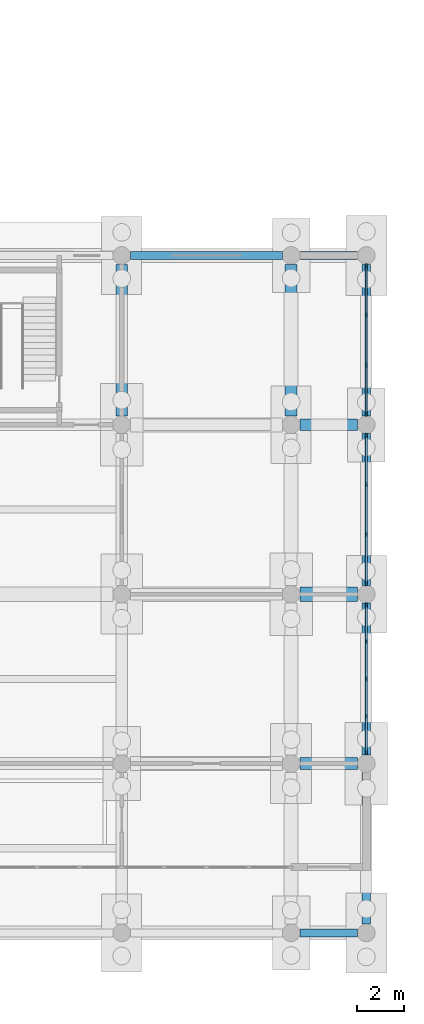
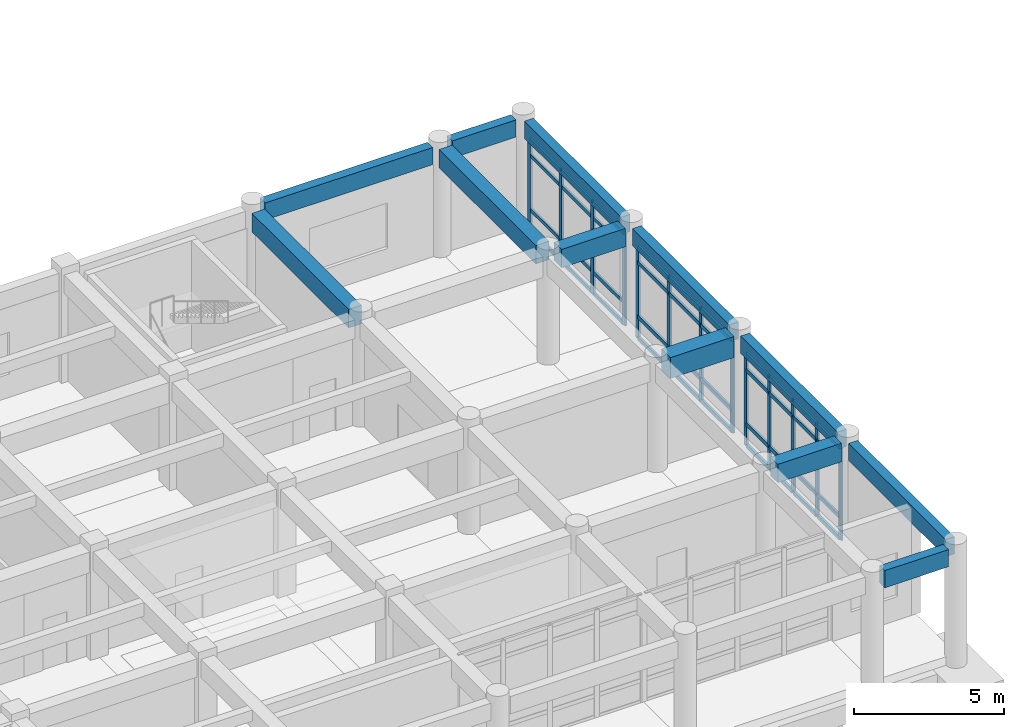
# One storey, part 36 of 79: 53 members, 12 beams, 3 elements without a shape of their own.
"""IFC4 building model written with IfcOpenShell, lengths in metres."""

from ifc_helpers import new_model, si_unit, direction, frame, origin, origin_2d, place, context, subcontext, project, spatial, rectangle, extrude, material, layer, layer_set, material_profile, profile_set, type_object, element, aggregate, save


model = new_model("IFC4")

# Units and contexts
model_context = context("Model", 3, precision=1e-05, world=origin(), true_north=direction((0.0, 1.0)))
body_context = subcontext(model_context, "Body", "Model", "MODEL_VIEW")
ifc_project = project(units=[si_unit("LENGTHUNIT", "METRE"), si_unit("AREAUNIT", "SQUARE_METRE"), si_unit("VOLUMEUNIT", "CUBIC_METRE"), si_unit("PLANEANGLEUNIT", "RADIAN"), si_unit("MASSUNIT", "GRAM", prefix="KILO")], contexts=[model_context])

# Site, building, storey
site_placement = place(None, origin())
site = spatial("IfcSite", under=ifc_project, at=site_placement, CompositionType="ELEMENT")
building_placement = place(site_placement, origin())
building = spatial("IfcBuilding", under=site, at=building_placement, Name="Kavelor Marine Aquarium", CompositionType="ELEMENT")
storey_placement = place(building_placement, origin())
storey = spatial("IfcBuildingStorey", under=building, at=storey_placement, Name="L00", CompositionType="ELEMENT", Elevation=0.0)

# Beams
ifc_material_1 = material(Name="Concrete C40/50", Category="concrete")
ifc_material_profile_1 = material_profile(ifc_material_1, rectangle(XDim=0.60009765625, YDim=0.85009765625, at=origin_2d()), Name="RC-BM 600x850")
ifc_profile_set_1 = profile_set([ifc_material_profile_1], Name="Concrete C40/50")
beam_type_1 = type_object("IfcBeamType", Name="BM-B1", PredefinedType="BEAM", material=ifc_profile_set_1)
beam_1_placement = place(storey_placement, frame((161.97509765625, 17.199951171875, 4.034912109375), z_axis=(1.0, 0.0, 0.0), x_axis=(0.0, 1.0, 0.0)))
element("IfcBeam", 1, at=beam_1_placement, inside=storey, type_object=beam_type_1, Name="bm:x:L00:L01:22_02", PredefinedType="BEAM", context=body_context, shape_type="SweptSolid", body=[
    extrude(rectangle(XDim=0.60009765625, YDim=0.85009765625, at=origin_2d()), origin(), (0.0, 0.0, 1.0), 2.449951171875),
])
ifc_material_2 = material(Name="Concrete C40/50", Category="concrete")
ifc_material_profile_2 = material_profile(ifc_material_2, rectangle(XDim=0.5, YDim=0.75, at=origin_2d()), Name="RC-BM 500x750")
ifc_profile_set_2 = profile_set([ifc_material_profile_2], Name="Concrete C40/50")
beam_type_2 = type_object("IfcBeamType", Name="BM-B2", PredefinedType="BEAM", material=ifc_profile_set_2)
for number, where, z_axis, x_axis, name in (
    (2, (161.97509765625, 10.0, 4.0849609375), (1.0, 0.0, 0.0), (0.0, 1.0, 0.0), "bm:x:L00:L01:22_01"),
    (3, (161.97509765625, 24.39990234375, 4.0849609375), (1.0, 0.0, 0.0), (0.0, 1.0, 0.0), "bm:x:L00:L01:22_03"),
):
    element("IfcBeam", number, at=place(storey_placement, frame(where, z_axis=z_axis, x_axis=x_axis)), inside=storey, type_object=beam_type_2, Name=name, PredefinedType="BEAM", context=body_context, shape_type="SweptSolid", body=[
        extrude(rectangle(XDim=0.5, YDim=0.75, at=origin_2d()), origin(), (0.0, 0.0, 1.0), 2.449951171875),
    ])
for number, where, z_axis, x_axis, name in (
    (4, (154.39990234375, 24.77490234375, 4.0048828125), (0.0, 1.0, 0.0), (-1.0, 0.0, 0.0), "bm:y:L00:L01:21_03"),
    (5, (161.60009765625, 24.77490234375, 4.0849609375), (0.0, 1.0, 0.0), (-1.0, 0.0, 0.0), "bm:y:L00:L01:22_03"),
):
    element("IfcBeam", number, at=place(storey_placement, frame(where, z_axis=z_axis, x_axis=x_axis)), inside=storey, type_object=beam_type_2, Name=name, PredefinedType="BEAM", context=body_context, shape_type="SweptSolid", body=[
        extrude(rectangle(XDim=0.5, YDim=0.75, at=origin_2d()), origin(), (0.0, 0.0, 1.0), 6.4501953125),
    ])
ifc_material_3 = material(Name="Concrete C40/50", Category="concrete")
ifc_material_profile_3 = material_profile(ifc_material_3, rectangle(XDim=0.35009765625, YDim=0.699951171875, at=origin_2d()), Name="RC-SP 350x700")
ifc_profile_set_3 = profile_set([ifc_material_profile_3], Name="Concrete C40/50")
beam_type_3 = type_object("IfcBeamType", Name="BM-SP1", PredefinedType="SPANDREL", material=ifc_profile_set_3)
beam_2_placement = place(storey_placement, frame((154.77490234375, 31.60009765625, 4.110107421875), z_axis=(1.0, 0.0, 0.0), x_axis=(0.0, 1.0, 0.0)))
element("IfcBeam", 6, at=beam_2_placement, inside=storey, type_object=beam_type_3, Name="bm:x:L00:L01:21_04", PredefinedType="SPANDREL", context=body_context, shape_type="SweptSolid", body=[
    extrude(rectangle(XDim=0.35009765625, YDim=0.699951171875, at=origin_2d()), origin(), (0.0, 0.0, 1.0), 6.4501953125),
])
for number, where, z_axis, x_axis, name in (
    (7, (161.97509765625, 2.800048828125, 4.110107421875), (1.0, 0.0, 0.0), (0.0, 1.0, 0.0), "bm:x:L00:L01:22_00"),
    (8, (161.97509765625, 31.60009765625, 4.110107421875), (1.0, 0.0, 0.0), (0.0, 1.0, 0.0), "bm:x:L00:L01:22_04"),
):
    element("IfcBeam", number, at=place(storey_placement, frame(where, z_axis=z_axis, x_axis=x_axis)), inside=storey, type_object=beam_type_3, Name=name, PredefinedType="SPANDREL", context=body_context, shape_type="SweptSolid", body=[
        extrude(rectangle(XDim=0.35009765625, YDim=0.699951171875, at=origin_2d()), origin(), (0.0, 0.0, 1.0), 2.449951171875),
    ])
for number, where, z_axis, x_axis, name in (
    (9, (164.800048828125, 3.175048828125, 4.110107421875), (0.0, 1.0, 0.0), (-1.0, 0.0, 0.0), "bm:y:L00:L01:23_00"),
    (10, (164.800048828125, 10.375, 4.110107421875), (0.0, 1.0, 0.0), (-1.0, 0.0, 0.0), "bm:y:L00:L01:23_01"),
    (11, (164.800048828125, 17.574951171875, 4.110107421875), (0.0, 1.0, 0.0), (-1.0, 0.0, 0.0), "bm:y:L00:L01:23_02"),
):
    element("IfcBeam", number, at=place(storey_placement, frame(where, z_axis=z_axis, x_axis=x_axis)), inside=storey, type_object=beam_type_3, Name=name, PredefinedType="SPANDREL", context=body_context, shape_type="SweptSolid", body=[
        extrude(rectangle(XDim=0.35009765625, YDim=0.699951171875, at=origin_2d()), origin(), (0.0, 0.0, 1.0), 6.449951171875),
    ])
beam_3_placement = place(storey_placement, frame((164.800048828125, 24.77490234375, 4.110107421875), z_axis=(0.0, 1.0, 0.0), x_axis=(-1.0, 0.0, 0.0)))
element("IfcBeam", 12, at=beam_3_placement, inside=storey, type_object=beam_type_3, Name="bm:y:L00:L01:23_03", PredefinedType="SPANDREL", context=body_context, shape_type="SweptSolid", body=[
    extrude(rectangle(XDim=0.35009765625, YDim=0.699951171875, at=origin_2d()), origin(), (0.0, 0.0, 1.0), 6.4501953125),
])

# Curtain wall, members
ifc_material_4 = material(Name="Thermally Broken Aluminium and Low-E Glass", Category="aluminium")
ifc_layer_1 = layer(ifc_material_4, 0.26806640625)
ifc_layer_set_1 = layer_set([ifc_layer_1], Name="CW-SYS16")
curtain_wall_type_1 = type_object("IfcCurtainWallType", Name="CW-SYS16", PredefinedType="USERDEFINED", material=ifc_layer_set_1)
curtain_wall_1_placement = place(storey_placement, origin())
curtain_wall_1 = element("IfcCurtainWall", 13, at=curtain_wall_1_placement, inside=storey, type_object=curtain_wall_type_1, Name="cw:y:L00:23_01", ObjectType="Curtain Wall", PredefinedType="USERDEFINED")
ifc_material_5 = material(Name="Anodised Aluminium Alloy 6063-T6", Category="aluminium")
ifc_material_profile_4 = material_profile(ifc_material_5, rectangle(XDim=0.074951171875, YDim=0.179931640625, at=origin_2d()), Name="CW-MUL 75x180")
ifc_profile_set_4 = profile_set([ifc_material_profile_4], Name="Anodised Aluminium Alloy 6063-T6")
member_type_1 = type_object("IfcMemberType", Name="CWM-1", PredefinedType="MULLION", material=ifc_profile_set_4)
member_1_placement = place(storey_placement, frame((164.800048828125, 10.45751953125, 0.0), z_axis=(0.0, 0.0, 1.0), x_axis=(-1.0, 0.0, 0.0)))
member_1 = element("IfcMember", 14, at=member_1_placement, type_object=member_type_1, Name="CW16 mullion 1", PredefinedType="MULLION", context=body_context, shape_type="SweptSolid", body=[
    extrude(rectangle(XDim=0.074951171875, YDim=0.179931640625, at=origin_2d()), origin(), (0.0, 0.0, 1.0), 3.75),
])
member_2_placement = place(storey_placement, frame((164.800048828125, 12.010009765625, 0.0), z_axis=(0.0, 0.0, 1.0), x_axis=(-1.0, 0.0, 0.0)))
member_2 = element("IfcMember", 15, at=member_2_placement, type_object=member_type_1, Name="CW16 mullion 2", PredefinedType="MULLION", context=body_context, shape_type="SweptSolid", body=[
    extrude(rectangle(XDim=0.074951171875, YDim=0.179931640625, at=origin_2d()), origin(), (0.0, 0.0, 1.0), 3.75),
])
member_3_placement = place(storey_placement, frame((164.800048828125, 13.60009765625, 0.0), z_axis=(0.0, 0.0, 1.0), x_axis=(-1.0, 0.0, 0.0)))
member_3 = element("IfcMember", 16, at=member_3_placement, type_object=member_type_1, Name="CW16 mullion 3", PredefinedType="MULLION", context=body_context, shape_type="SweptSolid", body=[
    extrude(rectangle(XDim=0.074951171875, YDim=0.179931640625, at=origin_2d()), origin(), (0.0, 0.0, 1.0), 3.75),
])
member_4_placement = place(storey_placement, frame((164.800048828125, 15.18994140625, 0.0), z_axis=(0.0, 0.0, 1.0), x_axis=(-1.0, 0.0, 0.0)))
member_4 = element("IfcMember", 17, at=member_4_placement, type_object=member_type_1, Name="CW16 mullion 4", PredefinedType="MULLION", context=body_context, shape_type="SweptSolid", body=[
    extrude(rectangle(XDim=0.074951171875, YDim=0.179931640625, at=origin_2d()), origin(), (0.0, 0.0, 1.0), 3.75),
])
member_5_placement = place(storey_placement, frame((164.800048828125, 16.742431640625, 0.0), z_axis=(0.0, 0.0, 1.0), x_axis=(-1.0, 0.0, 0.0)))
member_5 = element("IfcMember", 18, at=member_5_placement, type_object=member_type_1, Name="CW16 mullion 5", PredefinedType="MULLION", context=body_context, shape_type="SweptSolid", body=[
    extrude(rectangle(XDim=0.074951171875, YDim=0.179931640625, at=origin_2d()), origin(), (0.0, 0.0, 1.0), 3.75),
])

ifc_material_6 = material(Name="Thermally Broken Aluminium and Low-E Glass", Category="aluminium")
ifc_layer_2 = layer(ifc_material_6, 0.27587890625)
ifc_layer_set_2 = layer_set([ifc_layer_2], Name="CW-SYS17")
curtain_wall_type_2 = type_object("IfcCurtainWallType", Name="CW-SYS17", PredefinedType="USERDEFINED", material=ifc_layer_set_2)
curtain_wall_2_placement = place(storey_placement, origin())
curtain_wall_2 = element("IfcCurtainWall", 19, at=curtain_wall_2_placement, inside=storey, type_object=curtain_wall_type_2, Name="cw:y:L00:23_02", ObjectType="Curtain Wall", PredefinedType="USERDEFINED")
ifc_material_7 = material(Name="Anodised Aluminium Alloy 6063-T6", Category="aluminium")
ifc_material_profile_5 = material_profile(ifc_material_7, rectangle(XDim=0.080078125, YDim=0.18505859375, at=origin_2d()), Name="CW-MUL 80x185")
ifc_profile_set_5 = profile_set([ifc_material_profile_5], Name="Anodised Aluminium Alloy 6063-T6")
member_type_2 = type_object("IfcMemberType", Name="CWM-2", PredefinedType="MULLION", material=ifc_profile_set_5)
member_6_placement = place(storey_placement, frame((164.800048828125, 17.652587890625, 0.0), z_axis=(0.0, 0.0, 1.0), x_axis=(-1.0, 0.0, 0.0)))
member_6 = element("IfcMember", 20, at=member_6_placement, type_object=member_type_2, Name="CW17 mullion 1", PredefinedType="MULLION", context=body_context, shape_type="SweptSolid", body=[
    extrude(rectangle(XDim=0.080078125, YDim=0.18505859375, at=origin_2d()), origin(), (0.0, 0.0, 1.0), 3.75),
])
member_7_placement = place(storey_placement, frame((164.800048828125, 19.739990234375, 0.0), z_axis=(0.0, 0.0, 1.0), x_axis=(-1.0, 0.0, 0.0)))
member_7 = element("IfcMember", 21, at=member_7_placement, type_object=member_type_2, Name="CW17 mullion 2", PredefinedType="MULLION", context=body_context, shape_type="SweptSolid", body=[
    extrude(rectangle(XDim=0.080078125, YDim=0.18505859375, at=origin_2d()), origin(), (0.0, 0.0, 1.0), 3.75),
])
member_8_placement = place(storey_placement, frame((164.800048828125, 21.860107421875, 0.0), z_axis=(0.0, 0.0, 1.0), x_axis=(-1.0, 0.0, 0.0)))
member_8 = element("IfcMember", 22, at=member_8_placement, type_object=member_type_2, Name="CW17 mullion 3", PredefinedType="MULLION", context=body_context, shape_type="SweptSolid", body=[
    extrude(rectangle(XDim=0.080078125, YDim=0.18505859375, at=origin_2d()), origin(), (0.0, 0.0, 1.0), 3.75),
])
member_9_placement = place(storey_placement, frame((164.800048828125, 23.947509765625, 0.0), z_axis=(0.0, 0.0, 1.0), x_axis=(-1.0, 0.0, 0.0)))
member_9 = element("IfcMember", 23, at=member_9_placement, type_object=member_type_2, Name="CW17 mullion 4", PredefinedType="MULLION", context=body_context, shape_type="SweptSolid", body=[
    extrude(rectangle(XDim=0.080078125, YDim=0.18505859375, at=origin_2d()), origin(), (0.0, 0.0, 1.0), 3.75),
])

ifc_material_8 = material(Name="Thermally Broken Aluminium and Low-E Glass", Category="aluminium")
ifc_layer_3 = layer(ifc_material_8, 0.283935546875)
ifc_layer_set_3 = layer_set([ifc_layer_3], Name="CW-SYS18")
curtain_wall_type_3 = type_object("IfcCurtainWallType", Name="CW-SYS18", PredefinedType="USERDEFINED", material=ifc_layer_set_3)
curtain_wall_3_placement = place(storey_placement, origin())
curtain_wall_3 = element("IfcCurtainWall", 24, at=curtain_wall_3_placement, inside=storey, type_object=curtain_wall_type_3, Name="cw:y:L00:23_03", ObjectType="Curtain Wall", PredefinedType="USERDEFINED")
ifc_material_9 = material(Name="Anodised Aluminium Alloy 6063-T6", Category="aluminium")
ifc_material_profile_6 = material_profile(ifc_material_9, rectangle(XDim=0.0849609375, YDim=0.18994140625, at=origin_2d()), Name="CW-MUL 85x190")
ifc_profile_set_6 = profile_set([ifc_material_profile_6], Name="Anodised Aluminium Alloy 6063-T6")
member_type_3 = type_object("IfcMemberType", Name="CWM-3", PredefinedType="MULLION", material=ifc_profile_set_6)
member_10_placement = place(storey_placement, frame((164.800048828125, 24.85009765625, 0.0), z_axis=(0.0, 0.0, 1.0), x_axis=(-1.0, 0.0, 0.0)))
member_10 = element("IfcMember", 25, at=member_10_placement, type_object=member_type_3, Name="CW18 mullion 1", PredefinedType="MULLION", context=body_context, shape_type="SweptSolid", body=[
    extrude(rectangle(XDim=0.0849609375, YDim=0.18994140625, at=origin_2d()), origin(), (0.0, 0.0, 1.0), 3.75),
])
member_11_placement = place(storey_placement, frame((164.800048828125, 26.93994140625, 0.0), z_axis=(0.0, 0.0, 1.0), x_axis=(-1.0, 0.0, 0.0)))
member_11 = element("IfcMember", 26, at=member_11_placement, type_object=member_type_3, Name="CW18 mullion 2", PredefinedType="MULLION", context=body_context, shape_type="SweptSolid", body=[
    extrude(rectangle(XDim=0.0849609375, YDim=0.18994140625, at=origin_2d()), origin(), (0.0, 0.0, 1.0), 3.75),
])
member_12_placement = place(storey_placement, frame((164.800048828125, 29.06005859375, 0.0), z_axis=(0.0, 0.0, 1.0), x_axis=(-1.0, 0.0, 0.0)))
member_12 = element("IfcMember", 27, at=member_12_placement, type_object=member_type_3, Name="CW18 mullion 3", PredefinedType="MULLION", context=body_context, shape_type="SweptSolid", body=[
    extrude(rectangle(XDim=0.0849609375, YDim=0.18994140625, at=origin_2d()), origin(), (0.0, 0.0, 1.0), 3.75),
])
member_13_placement = place(storey_placement, frame((164.800048828125, 31.14990234375, 0.0), z_axis=(0.0, 0.0, 1.0), x_axis=(-1.0, 0.0, 0.0)))
member_13 = element("IfcMember", 28, at=member_13_placement, type_object=member_type_3, Name="CW18 mullion 4", PredefinedType="MULLION", context=body_context, shape_type="SweptSolid", body=[
    extrude(rectangle(XDim=0.0849609375, YDim=0.18994140625, at=origin_2d()), origin(), (0.0, 0.0, 1.0), 3.75),
])
ifc_material_10 = material(Name="Anodised Aluminium Alloy 6063-T6", Category="aluminium")
ifc_material_profile_7 = material_profile(ifc_material_10, rectangle(XDim=0.074951171875, YDim=0.14990234375, at=origin_2d()), Name="CW-TRN 75x150")
ifc_profile_set_7 = profile_set([ifc_material_profile_7], Name="Anodised Aluminium Alloy 6063-T6")
member_type_4 = type_object("IfcMemberType", Name="CWT-1", PredefinedType="USERDEFINED", material=ifc_profile_set_7)
member_14_placement = place(storey_placement, frame((164.800048828125, 24.8798828125, 0.03759765625), z_axis=(0.0, 1.0, 0.0), x_axis=(-1.0, 0.0, 0.0)))
member_14 = element("IfcMember", 29, at=member_14_placement, type_object=member_type_4, Name="CW18 transom 1.1", ObjectType="TRANSOM", PredefinedType="USERDEFINED", context=body_context, shape_type="SweptSolid", body=[
    extrude(rectangle(XDim=0.074951171875, YDim=0.14990234375, at=origin_2d()), origin(), (0.0, 0.0, 1.0), 2.030029296875),
])
member_15_placement = place(storey_placement, frame((164.800048828125, 24.8798828125, 0.89990234375), z_axis=(0.0, 1.0, 0.0), x_axis=(-1.0, 0.0, 0.0)))
member_15 = element("IfcMember", 30, at=member_15_placement, type_object=member_type_4, Name="CW18 transom 1.2", ObjectType="TRANSOM", PredefinedType="USERDEFINED", context=body_context, shape_type="SweptSolid", body=[
    extrude(rectangle(XDim=0.074951171875, YDim=0.14990234375, at=origin_2d()), origin(), (0.0, 0.0, 1.0), 2.030029296875),
])
member_16_placement = place(storey_placement, frame((164.800048828125, 24.8798828125, 3.10009765625), z_axis=(0.0, 1.0, 0.0), x_axis=(-1.0, 0.0, 0.0)))
member_16 = element("IfcMember", 31, at=member_16_placement, type_object=member_type_4, Name="CW18 transom 1.3", ObjectType="TRANSOM", PredefinedType="USERDEFINED", context=body_context, shape_type="SweptSolid", body=[
    extrude(rectangle(XDim=0.074951171875, YDim=0.14990234375, at=origin_2d()), origin(), (0.0, 0.0, 1.0), 2.030029296875),
])
member_17_placement = place(storey_placement, frame((164.800048828125, 24.8798828125, 3.71240234375), z_axis=(0.0, 1.0, 0.0), x_axis=(-1.0, 0.0, 0.0)))
member_17 = element("IfcMember", 32, at=member_17_placement, type_object=member_type_4, Name="CW18 transom 1.4", ObjectType="TRANSOM", PredefinedType="USERDEFINED", context=body_context, shape_type="SweptSolid", body=[
    extrude(rectangle(XDim=0.074951171875, YDim=0.14990234375, at=origin_2d()), origin(), (0.0, 0.0, 1.0), 2.030029296875),
])
member_18_placement = place(storey_placement, frame((164.800048828125, 26.969970703125, 0.03759765625), z_axis=(0.0, 1.0, 0.0), x_axis=(-1.0, 0.0, 0.0)))
member_18 = element("IfcMember", 33, at=member_18_placement, type_object=member_type_4, Name="CW18 transom 2.1", ObjectType="TRANSOM", PredefinedType="USERDEFINED", context=body_context, shape_type="SweptSolid", body=[
    extrude(rectangle(XDim=0.074951171875, YDim=0.14990234375, at=origin_2d()), origin(), (0.0, 0.0, 1.0), 2.06005859375),
])
member_19_placement = place(storey_placement, frame((164.800048828125, 26.969970703125, 0.89990234375), z_axis=(0.0, 1.0, 0.0), x_axis=(-1.0, 0.0, 0.0)))
member_19 = element("IfcMember", 34, at=member_19_placement, type_object=member_type_4, Name="CW18 transom 2.2", ObjectType="TRANSOM", PredefinedType="USERDEFINED", context=body_context, shape_type="SweptSolid", body=[
    extrude(rectangle(XDim=0.074951171875, YDim=0.14990234375, at=origin_2d()), origin(), (0.0, 0.0, 1.0), 2.06005859375),
])
member_20_placement = place(storey_placement, frame((164.800048828125, 26.969970703125, 3.10009765625), z_axis=(0.0, 1.0, 0.0), x_axis=(-1.0, 0.0, 0.0)))
member_20 = element("IfcMember", 35, at=member_20_placement, type_object=member_type_4, Name="CW18 transom 2.3", ObjectType="TRANSOM", PredefinedType="USERDEFINED", context=body_context, shape_type="SweptSolid", body=[
    extrude(rectangle(XDim=0.074951171875, YDim=0.14990234375, at=origin_2d()), origin(), (0.0, 0.0, 1.0), 2.06005859375),
])
member_21_placement = place(storey_placement, frame((164.800048828125, 26.969970703125, 3.71240234375), z_axis=(0.0, 1.0, 0.0), x_axis=(-1.0, 0.0, 0.0)))
member_21 = element("IfcMember", 36, at=member_21_placement, type_object=member_type_4, Name="CW18 transom 2.4", ObjectType="TRANSOM", PredefinedType="USERDEFINED", context=body_context, shape_type="SweptSolid", body=[
    extrude(rectangle(XDim=0.074951171875, YDim=0.14990234375, at=origin_2d()), origin(), (0.0, 0.0, 1.0), 2.06005859375),
])
member_22_placement = place(storey_placement, frame((164.800048828125, 29.090087890625, 0.03759765625), z_axis=(0.0, 1.0, 0.0), x_axis=(-1.0, 0.0, 0.0)))
member_22 = element("IfcMember", 37, at=member_22_placement, type_object=member_type_4, Name="CW18 transom 3.1", ObjectType="TRANSOM", PredefinedType="USERDEFINED", context=body_context, shape_type="SweptSolid", body=[
    extrude(rectangle(XDim=0.074951171875, YDim=0.14990234375, at=origin_2d()), origin(), (0.0, 0.0, 1.0), 2.030029296875),
])
member_23_placement = place(storey_placement, frame((164.800048828125, 29.090087890625, 0.89990234375), z_axis=(0.0, 1.0, 0.0), x_axis=(-1.0, 0.0, 0.0)))
member_23 = element("IfcMember", 38, at=member_23_placement, type_object=member_type_4, Name="CW18 transom 3.2", ObjectType="TRANSOM", PredefinedType="USERDEFINED", context=body_context, shape_type="SweptSolid", body=[
    extrude(rectangle(XDim=0.074951171875, YDim=0.14990234375, at=origin_2d()), origin(), (0.0, 0.0, 1.0), 2.030029296875),
])
member_24_placement = place(storey_placement, frame((164.800048828125, 29.090087890625, 3.10009765625), z_axis=(0.0, 1.0, 0.0), x_axis=(-1.0, 0.0, 0.0)))
member_24 = element("IfcMember", 39, at=member_24_placement, type_object=member_type_4, Name="CW18 transom 3.3", ObjectType="TRANSOM", PredefinedType="USERDEFINED", context=body_context, shape_type="SweptSolid", body=[
    extrude(rectangle(XDim=0.074951171875, YDim=0.14990234375, at=origin_2d()), origin(), (0.0, 0.0, 1.0), 2.030029296875),
])
member_25_placement = place(storey_placement, frame((164.800048828125, 29.090087890625, 3.71240234375), z_axis=(0.0, 1.0, 0.0), x_axis=(-1.0, 0.0, 0.0)))
member_25 = element("IfcMember", 40, at=member_25_placement, type_object=member_type_4, Name="CW18 transom 3.4", ObjectType="TRANSOM", PredefinedType="USERDEFINED", context=body_context, shape_type="SweptSolid", body=[
    extrude(rectangle(XDim=0.074951171875, YDim=0.14990234375, at=origin_2d()), origin(), (0.0, 0.0, 1.0), 2.030029296875),
])
aggregate(curtain_wall_3, [member_10, member_11, member_12, member_13, member_14, member_15, member_16, member_17, member_18, member_19, member_20, member_21, member_22, member_23, member_24, member_25])

# Member
ifc_material_11 = material(Name="Anodised Aluminium Alloy 6063-T6", Category="aluminium")
ifc_material_profile_8 = material_profile(ifc_material_11, rectangle(XDim=0.0849609375, YDim=0.159912109375, at=origin_2d()), Name="CW-TRN 85x160")
ifc_profile_set_8 = profile_set([ifc_material_profile_8], Name="Anodised Aluminium Alloy 6063-T6")
member_type_5 = type_object("IfcMemberType", Name="CWT-3", PredefinedType="USERDEFINED", material=ifc_profile_set_8)
member_26_placement = place(storey_placement, frame((164.800048828125, 10.4951171875, 0.030029296875), z_axis=(0.0, 1.0, 0.0), x_axis=(-1.0, 0.0, 0.0)))
member_26 = element("IfcMember", 41, at=member_26_placement, type_object=member_type_5, Name="CW16 transom 1.1", ObjectType="TRANSOM", PredefinedType="USERDEFINED", context=body_context, shape_type="SweptSolid", body=[
    extrude(rectangle(XDim=0.0849609375, YDim=0.159912109375, at=origin_2d()), origin(), (0.0, 0.0, 1.0), 1.477294921875),
])

member_27_placement = place(storey_placement, frame((164.800048828125, 10.4951171875, 0.89990234375), z_axis=(0.0, 1.0, 0.0), x_axis=(-1.0, 0.0, 0.0)))
member_27 = element("IfcMember", 42, at=member_27_placement, type_object=member_type_5, Name="CW16 transom 1.2", ObjectType="TRANSOM", PredefinedType="USERDEFINED", context=body_context, shape_type="SweptSolid", body=[
    extrude(rectangle(XDim=0.0849609375, YDim=0.159912109375, at=origin_2d()), origin(), (0.0, 0.0, 1.0), 1.477294921875),
])

member_28_placement = place(storey_placement, frame((164.800048828125, 10.4951171875, 3.10009765625), z_axis=(0.0, 1.0, 0.0), x_axis=(-1.0, 0.0, 0.0)))
member_28 = element("IfcMember", 43, at=member_28_placement, type_object=member_type_5, Name="CW16 transom 1.3", ObjectType="TRANSOM", PredefinedType="USERDEFINED", context=body_context, shape_type="SweptSolid", body=[
    extrude(rectangle(XDim=0.0849609375, YDim=0.159912109375, at=origin_2d()), origin(), (0.0, 0.0, 1.0), 1.477294921875),
])

member_29_placement = place(storey_placement, frame((164.800048828125, 10.4951171875, 3.719970703125), z_axis=(0.0, 1.0, 0.0), x_axis=(-1.0, 0.0, 0.0)))
member_29 = element("IfcMember", 44, at=member_29_placement, type_object=member_type_5, Name="CW16 transom 1.4", ObjectType="TRANSOM", PredefinedType="USERDEFINED", context=body_context, shape_type="SweptSolid", body=[
    extrude(rectangle(XDim=0.0849609375, YDim=0.159912109375, at=origin_2d()), origin(), (0.0, 0.0, 1.0), 1.477294921875),
])

member_30_placement = place(storey_placement, frame((164.800048828125, 12.047607421875, 0.030029296875), z_axis=(0.0, 1.0, 0.0), x_axis=(-1.0, 0.0, 0.0)))
member_30 = element("IfcMember", 45, at=member_30_placement, type_object=member_type_5, Name="CW16 transom 2.1", ObjectType="TRANSOM", PredefinedType="USERDEFINED", context=body_context, shape_type="SweptSolid", body=[
    extrude(rectangle(XDim=0.0849609375, YDim=0.159912109375, at=origin_2d()), origin(), (0.0, 0.0, 1.0), 1.514892578125),
])

member_31_placement = place(storey_placement, frame((164.800048828125, 12.047607421875, 0.89990234375), z_axis=(0.0, 1.0, 0.0), x_axis=(-1.0, 0.0, 0.0)))
member_31 = element("IfcMember", 46, at=member_31_placement, type_object=member_type_5, Name="CW16 transom 2.2", ObjectType="TRANSOM", PredefinedType="USERDEFINED", context=body_context, shape_type="SweptSolid", body=[
    extrude(rectangle(XDim=0.0849609375, YDim=0.159912109375, at=origin_2d()), origin(), (0.0, 0.0, 1.0), 1.514892578125),
])

member_32_placement = place(storey_placement, frame((164.800048828125, 12.047607421875, 3.10009765625), z_axis=(0.0, 1.0, 0.0), x_axis=(-1.0, 0.0, 0.0)))
member_32 = element("IfcMember", 47, at=member_32_placement, type_object=member_type_5, Name="CW16 transom 2.3", ObjectType="TRANSOM", PredefinedType="USERDEFINED", context=body_context, shape_type="SweptSolid", body=[
    extrude(rectangle(XDim=0.0849609375, YDim=0.159912109375, at=origin_2d()), origin(), (0.0, 0.0, 1.0), 1.514892578125),
])

member_33_placement = place(storey_placement, frame((164.800048828125, 12.047607421875, 3.719970703125), z_axis=(0.0, 1.0, 0.0), x_axis=(-1.0, 0.0, 0.0)))
member_33 = element("IfcMember", 48, at=member_33_placement, type_object=member_type_5, Name="CW16 transom 2.4", ObjectType="TRANSOM", PredefinedType="USERDEFINED", context=body_context, shape_type="SweptSolid", body=[
    extrude(rectangle(XDim=0.0849609375, YDim=0.159912109375, at=origin_2d()), origin(), (0.0, 0.0, 1.0), 1.514892578125),
])

member_34_placement = place(storey_placement, frame((164.800048828125, 13.637451171875, 0.030029296875), z_axis=(0.0, 1.0, 0.0), x_axis=(-1.0, 0.0, 0.0)))
member_34 = element("IfcMember", 49, at=member_34_placement, type_object=member_type_5, Name="CW16 transom 3.1", ObjectType="TRANSOM", PredefinedType="USERDEFINED", context=body_context, shape_type="SweptSolid", body=[
    extrude(rectangle(XDim=0.0849609375, YDim=0.159912109375, at=origin_2d()), origin(), (0.0, 0.0, 1.0), 1.51513671875),
])

member_35_placement = place(storey_placement, frame((164.800048828125, 13.637451171875, 0.89990234375), z_axis=(0.0, 1.0, 0.0), x_axis=(-1.0, 0.0, 0.0)))
member_35 = element("IfcMember", 50, at=member_35_placement, type_object=member_type_5, Name="CW16 transom 3.2", ObjectType="TRANSOM", PredefinedType="USERDEFINED", context=body_context, shape_type="SweptSolid", body=[
    extrude(rectangle(XDim=0.0849609375, YDim=0.159912109375, at=origin_2d()), origin(), (0.0, 0.0, 1.0), 1.51513671875),
])

member_36_placement = place(storey_placement, frame((164.800048828125, 13.637451171875, 3.10009765625), z_axis=(0.0, 1.0, 0.0), x_axis=(-1.0, 0.0, 0.0)))
member_36 = element("IfcMember", 51, at=member_36_placement, type_object=member_type_5, Name="CW16 transom 3.3", ObjectType="TRANSOM", PredefinedType="USERDEFINED", context=body_context, shape_type="SweptSolid", body=[
    extrude(rectangle(XDim=0.0849609375, YDim=0.159912109375, at=origin_2d()), origin(), (0.0, 0.0, 1.0), 1.51513671875),
])

member_37_placement = place(storey_placement, frame((164.800048828125, 13.637451171875, 3.719970703125), z_axis=(0.0, 1.0, 0.0), x_axis=(-1.0, 0.0, 0.0)))
member_37 = element("IfcMember", 52, at=member_37_placement, type_object=member_type_5, Name="CW16 transom 3.4", ObjectType="TRANSOM", PredefinedType="USERDEFINED", context=body_context, shape_type="SweptSolid", body=[
    extrude(rectangle(XDim=0.0849609375, YDim=0.159912109375, at=origin_2d()), origin(), (0.0, 0.0, 1.0), 1.51513671875),
])

member_38_placement = place(storey_placement, frame((164.800048828125, 15.2275390625, 0.030029296875), z_axis=(0.0, 1.0, 0.0), x_axis=(-1.0, 0.0, 0.0)))
member_38 = element("IfcMember", 53, at=member_38_placement, type_object=member_type_5, Name="CW16 transom 4.1", ObjectType="TRANSOM", PredefinedType="USERDEFINED", context=body_context, shape_type="SweptSolid", body=[
    extrude(rectangle(XDim=0.0849609375, YDim=0.159912109375, at=origin_2d()), origin(), (0.0, 0.0, 1.0), 1.4775390625),
])

member_39_placement = place(storey_placement, frame((164.800048828125, 15.2275390625, 0.89990234375), z_axis=(0.0, 1.0, 0.0), x_axis=(-1.0, 0.0, 0.0)))
member_39 = element("IfcMember", 54, at=member_39_placement, type_object=member_type_5, Name="CW16 transom 4.2", ObjectType="TRANSOM", PredefinedType="USERDEFINED", context=body_context, shape_type="SweptSolid", body=[
    extrude(rectangle(XDim=0.0849609375, YDim=0.159912109375, at=origin_2d()), origin(), (0.0, 0.0, 1.0), 1.4775390625),
])

member_40_placement = place(storey_placement, frame((164.800048828125, 15.2275390625, 3.10009765625), z_axis=(0.0, 1.0, 0.0), x_axis=(-1.0, 0.0, 0.0)))
member_40 = element("IfcMember", 55, at=member_40_placement, type_object=member_type_5, Name="CW16 transom 4.3", ObjectType="TRANSOM", PredefinedType="USERDEFINED", context=body_context, shape_type="SweptSolid", body=[
    extrude(rectangle(XDim=0.0849609375, YDim=0.159912109375, at=origin_2d()), origin(), (0.0, 0.0, 1.0), 1.4775390625),
])

member_41_placement = place(storey_placement, frame((164.800048828125, 15.2275390625, 3.719970703125), z_axis=(0.0, 1.0, 0.0), x_axis=(-1.0, 0.0, 0.0)))
member_41 = element("IfcMember", 56, at=member_41_placement, type_object=member_type_5, Name="CW16 transom 4.4", ObjectType="TRANSOM", PredefinedType="USERDEFINED", context=body_context, shape_type="SweptSolid", body=[
    extrude(rectangle(XDim=0.0849609375, YDim=0.159912109375, at=origin_2d()), origin(), (0.0, 0.0, 1.0), 1.4775390625),
])

aggregate(curtain_wall_1, [member_1, member_2, member_3, member_4, member_5, member_26, member_27, member_28, member_29, member_30, member_31, member_32, member_33, member_34, member_35, member_36, member_37, member_38, member_39, member_40, member_41])

member_42_placement = place(storey_placement, frame((164.800048828125, 17.68505859375, 0.030029296875), z_axis=(0.0, 1.0, 0.0), x_axis=(-1.0, 0.0, 0.0)))
member_42 = element("IfcMember", 57, at=member_42_placement, type_object=member_type_5, Name="CW17 transom 1.1", ObjectType="TRANSOM", PredefinedType="USERDEFINED", context=body_context, shape_type="SweptSolid", body=[
    extrude(rectangle(XDim=0.0849609375, YDim=0.159912109375, at=origin_2d()), origin(), (0.0, 0.0, 1.0), 2.0224609375),
])

member_43_placement = place(storey_placement, frame((164.800048828125, 17.68505859375, 0.89990234375), z_axis=(0.0, 1.0, 0.0), x_axis=(-1.0, 0.0, 0.0)))
member_43 = element("IfcMember", 58, at=member_43_placement, type_object=member_type_5, Name="CW17 transom 1.2", ObjectType="TRANSOM", PredefinedType="USERDEFINED", context=body_context, shape_type="SweptSolid", body=[
    extrude(rectangle(XDim=0.0849609375, YDim=0.159912109375, at=origin_2d()), origin(), (0.0, 0.0, 1.0), 2.0224609375),
])

member_44_placement = place(storey_placement, frame((164.800048828125, 17.68505859375, 3.10009765625), z_axis=(0.0, 1.0, 0.0), x_axis=(-1.0, 0.0, 0.0)))
member_44 = element("IfcMember", 59, at=member_44_placement, type_object=member_type_5, Name="CW17 transom 1.3", ObjectType="TRANSOM", PredefinedType="USERDEFINED", context=body_context, shape_type="SweptSolid", body=[
    extrude(rectangle(XDim=0.0849609375, YDim=0.159912109375, at=origin_2d()), origin(), (0.0, 0.0, 1.0), 2.0224609375),
])

member_45_placement = place(storey_placement, frame((164.800048828125, 17.68505859375, 3.719970703125), z_axis=(0.0, 1.0, 0.0), x_axis=(-1.0, 0.0, 0.0)))
member_45 = element("IfcMember", 60, at=member_45_placement, type_object=member_type_5, Name="CW17 transom 1.4", ObjectType="TRANSOM", PredefinedType="USERDEFINED", context=body_context, shape_type="SweptSolid", body=[
    extrude(rectangle(XDim=0.0849609375, YDim=0.159912109375, at=origin_2d()), origin(), (0.0, 0.0, 1.0), 2.0224609375),
])

member_46_placement = place(storey_placement, frame((164.800048828125, 19.7724609375, 0.030029296875), z_axis=(0.0, 1.0, 0.0), x_axis=(-1.0, 0.0, 0.0)))
member_46 = element("IfcMember", 61, at=member_46_placement, type_object=member_type_5, Name="CW17 transom 2.1", ObjectType="TRANSOM", PredefinedType="USERDEFINED", context=body_context, shape_type="SweptSolid", body=[
    extrude(rectangle(XDim=0.0849609375, YDim=0.159912109375, at=origin_2d()), origin(), (0.0, 0.0, 1.0), 2.054931640625),
])

member_47_placement = place(storey_placement, frame((164.800048828125, 19.7724609375, 0.89990234375), z_axis=(0.0, 1.0, 0.0), x_axis=(-1.0, 0.0, 0.0)))
member_47 = element("IfcMember", 62, at=member_47_placement, type_object=member_type_5, Name="CW17 transom 2.2", ObjectType="TRANSOM", PredefinedType="USERDEFINED", context=body_context, shape_type="SweptSolid", body=[
    extrude(rectangle(XDim=0.0849609375, YDim=0.159912109375, at=origin_2d()), origin(), (0.0, 0.0, 1.0), 2.054931640625),
])

member_48_placement = place(storey_placement, frame((164.800048828125, 19.7724609375, 3.10009765625), z_axis=(0.0, 1.0, 0.0), x_axis=(-1.0, 0.0, 0.0)))
member_48 = element("IfcMember", 63, at=member_48_placement, type_object=member_type_5, Name="CW17 transom 2.3", ObjectType="TRANSOM", PredefinedType="USERDEFINED", context=body_context, shape_type="SweptSolid", body=[
    extrude(rectangle(XDim=0.0849609375, YDim=0.159912109375, at=origin_2d()), origin(), (0.0, 0.0, 1.0), 2.054931640625),
])

member_49_placement = place(storey_placement, frame((164.800048828125, 19.7724609375, 3.719970703125), z_axis=(0.0, 1.0, 0.0), x_axis=(-1.0, 0.0, 0.0)))
member_49 = element("IfcMember", 64, at=member_49_placement, type_object=member_type_5, Name="CW17 transom 2.4", ObjectType="TRANSOM", PredefinedType="USERDEFINED", context=body_context, shape_type="SweptSolid", body=[
    extrude(rectangle(XDim=0.0849609375, YDim=0.159912109375, at=origin_2d()), origin(), (0.0, 0.0, 1.0), 2.054931640625),
])

member_50_placement = place(storey_placement, frame((164.800048828125, 21.892578125, 0.030029296875), z_axis=(0.0, 1.0, 0.0), x_axis=(-1.0, 0.0, 0.0)))
member_50 = element("IfcMember", 65, at=member_50_placement, type_object=member_type_5, Name="CW17 transom 3.1", ObjectType="TRANSOM", PredefinedType="USERDEFINED", context=body_context, shape_type="SweptSolid", body=[
    extrude(rectangle(XDim=0.0849609375, YDim=0.159912109375, at=origin_2d()), origin(), (0.0, 0.0, 1.0), 2.0224609375),
])

member_51_placement = place(storey_placement, frame((164.800048828125, 21.892578125, 0.89990234375), z_axis=(0.0, 1.0, 0.0), x_axis=(-1.0, 0.0, 0.0)))
member_51 = element("IfcMember", 66, at=member_51_placement, type_object=member_type_5, Name="CW17 transom 3.2", ObjectType="TRANSOM", PredefinedType="USERDEFINED", context=body_context, shape_type="SweptSolid", body=[
    extrude(rectangle(XDim=0.0849609375, YDim=0.159912109375, at=origin_2d()), origin(), (0.0, 0.0, 1.0), 2.0224609375),
])

member_52_placement = place(storey_placement, frame((164.800048828125, 21.892578125, 3.10009765625), z_axis=(0.0, 1.0, 0.0), x_axis=(-1.0, 0.0, 0.0)))
member_52 = element("IfcMember", 67, at=member_52_placement, type_object=member_type_5, Name="CW17 transom 3.3", ObjectType="TRANSOM", PredefinedType="USERDEFINED", context=body_context, shape_type="SweptSolid", body=[
    extrude(rectangle(XDim=0.0849609375, YDim=0.159912109375, at=origin_2d()), origin(), (0.0, 0.0, 1.0), 2.0224609375),
])

member_53_placement = place(storey_placement, frame((164.800048828125, 21.892578125, 3.719970703125), z_axis=(0.0, 1.0, 0.0), x_axis=(-1.0, 0.0, 0.0)))
member_53 = element("IfcMember", 68, at=member_53_placement, type_object=member_type_5, Name="CW17 transom 3.4", ObjectType="TRANSOM", PredefinedType="USERDEFINED", context=body_context, shape_type="SweptSolid", body=[
    extrude(rectangle(XDim=0.0849609375, YDim=0.159912109375, at=origin_2d()), origin(), (0.0, 0.0, 1.0), 2.0224609375),
])

aggregate(curtain_wall_2, [member_6, member_7, member_8, member_9, member_42, member_43, member_44, member_45, member_46, member_47, member_48, member_49, member_50, member_51, member_52, member_53])

save(model, "model.ifc")
